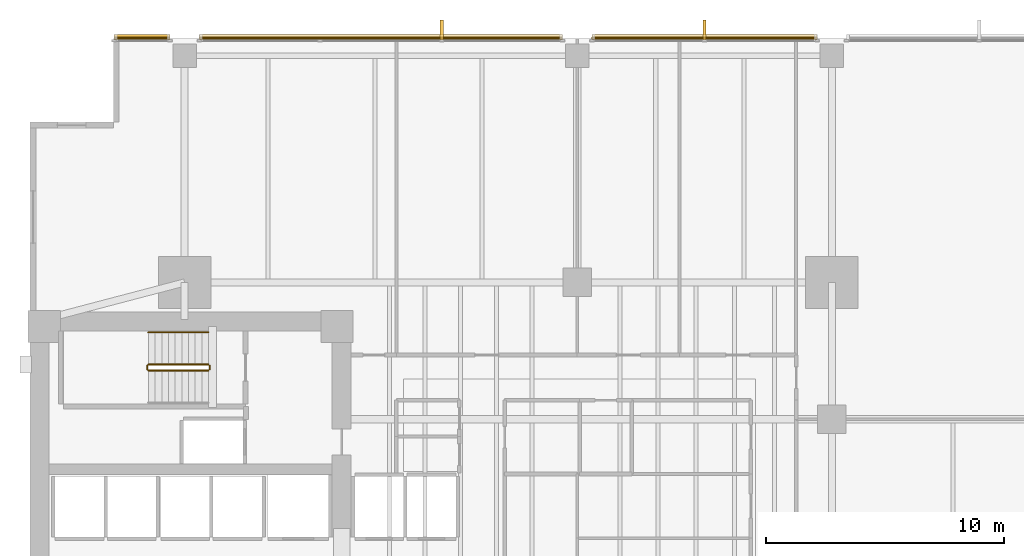
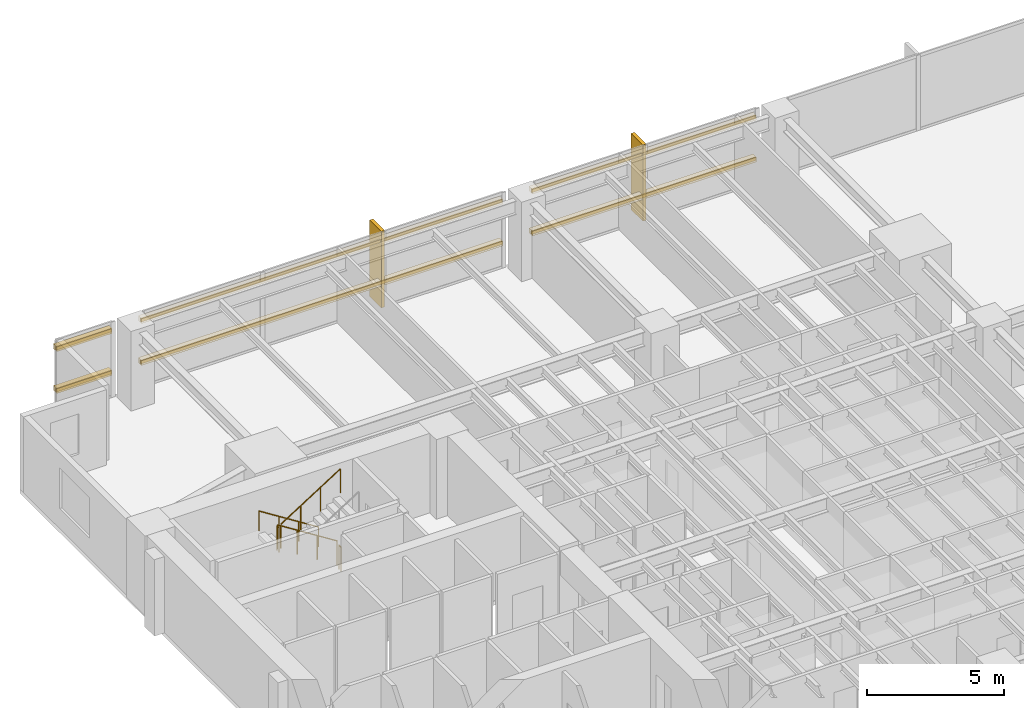
# One storey, part 14 of 15: 8 coverings, 6 shading devices, 5 railings.
"""IFC4 building model written with IfcOpenShell, lengths in metres."""

from ifc_helpers import new_model, si_unit, direction, frame, origin, origin_2d, place, context, subcontext, project, spatial, polyline, rectangle, circle, outline, extrude, material, layer, layer_set, material_profile, profile_set, type_object, element, save


model = new_model("IFC4")

# Units and contexts
model_context = context("Model", 3, precision=1e-05, world=origin(), true_north=direction((0.0, 1.0)))
body_context = subcontext(model_context, "Body", "Model", "MODEL_VIEW")
ifc_project = project(units=[si_unit("LENGTHUNIT", "METRE"), si_unit("AREAUNIT", "SQUARE_METRE"), si_unit("VOLUMEUNIT", "CUBIC_METRE"), si_unit("PLANEANGLEUNIT", "RADIAN"), si_unit("MASSUNIT", "GRAM", prefix="KILO")], contexts=[model_context])

# Site, building, storey
site_placement = place(None, origin())
site = spatial("IfcSite", under=ifc_project, at=site_placement, CompositionType="ELEMENT")
building_placement = place(site_placement, origin())
building = spatial("IfcBuilding", under=site, at=building_placement, Name="Kinhvarn Gate Tower", CompositionType="ELEMENT")
storey_placement = place(building_placement, frame((0.0, 0.0, 68.199951171875)))
storey = spatial("IfcBuildingStorey", under=building, at=storey_placement, Name="L17", CompositionType="ELEMENT", Elevation=68.199951171875)

# Coverings
ifc_material_1 = material(Name="Fired architectural terracotta", Category="masonry")
ifc_layer_1 = layer(ifc_material_1, 0.239990234375)
ifc_layer_set_1 = layer_set([ifc_layer_1], Name="Fired architectural terracotta")
covering_type_1 = type_object("IfcCoveringType", Name="COV-BAG-220", PredefinedType="CLADDING", material=ifc_layer_set_1)
covering_1_placement = place(storey_placement, frame((0.0, 0.0, 0.93994140625)))
element("IfcCovering", 1, at=covering_1_placement, inside=storey, type_object=covering_type_1, Name="Terracotta Horizontal Sunscreen Band TBG-220 (L17)", PredefinedType="CLADDING", context=body_context, shape_type="SweptSolid", body=[
    extrude(outline(polyline([(37.580078125, 47.93994140625), (28.1201171875, 47.93994140625), (28.1201171875, 48.179931640625), (37.580078125, 48.179931640625), (37.580078125, 47.93994140625)])), origin(), (0.0, 0.0, 1.0), 0.22021484375),
])
covering_2_placement = place(storey_placement, frame((0.0, 0.0, 2.81005859375)))
element("IfcCovering", 2, at=covering_2_placement, inside=storey, type_object=covering_type_1, Name="Terracotta Horizontal Sunscreen Band TBG-220 (L17)", PredefinedType="CLADDING", context=body_context, shape_type="SweptSolid", body=[
    extrude(outline(polyline([(37.580078125, 47.93994140625), (28.1201171875, 47.93994140625), (28.1201171875, 48.179931640625), (37.580078125, 48.179931640625), (37.580078125, 47.93994140625)])), origin(), (0.0, 0.0, 1.0), 0.219970703125),
])
covering_3_placement = place(storey_placement, frame((0.0, 0.0, 0.93994140625)))
element("IfcCovering", 3, at=covering_3_placement, inside=storey, type_object=covering_type_1, Name="Terracotta Horizontal Sunscreen Band TBG-220 (L17)", PredefinedType="CLADDING", context=body_context, shape_type="SweptSolid", body=[
    extrude(outline(polyline([(26.8798828125, 47.93994140625), (11.6201171875, 47.93994140625), (11.6201171875, 48.179931640625), (26.8798828125, 48.179931640625), (26.8798828125, 47.93994140625)])), origin(), (0.0, 0.0, 1.0), 0.22021484375),
])
covering_4_placement = place(storey_placement, frame((0.0, 0.0, 2.81005859375)))
element("IfcCovering", 4, at=covering_4_placement, inside=storey, type_object=covering_type_1, Name="Terracotta Horizontal Sunscreen Band TBG-220 (L17)", PredefinedType="CLADDING", context=body_context, shape_type="SweptSolid", body=[
    extrude(outline(polyline([(26.8798828125, 47.93994140625), (11.6201171875, 47.93994140625), (11.6201171875, 48.179931640625), (26.8798828125, 48.179931640625), (26.8798828125, 47.93994140625)])), origin(), (0.0, 0.0, 1.0), 0.219970703125),
])
covering_5_placement = place(storey_placement, frame((0.0, 0.0, 0.93994140625)))
element("IfcCovering", 5, at=covering_5_placement, inside=storey, type_object=covering_type_1, Name="Terracotta Horizontal Sunscreen Band TBG-220 (L17)", PredefinedType="CLADDING", context=body_context, shape_type="SweptSolid", body=[
    extrude(outline(polyline([(10.3798828125, 47.93994140625), (8.0400390625, 47.93994140625), (8.0400390625, 48.179931640625), (10.3798828125, 48.179931640625), (10.3798828125, 47.93994140625)])), origin(), (0.0, 0.0, 1.0), 0.22021484375),
])
covering_6_placement = place(storey_placement, frame((0.0, 0.0, 2.81005859375)))
element("IfcCovering", 6, at=covering_6_placement, inside=storey, type_object=covering_type_1, Name="Terracotta Horizontal Sunscreen Band TBG-220 (L17)", PredefinedType="CLADDING", context=body_context, shape_type="SweptSolid", body=[
    extrude(outline(polyline([(10.3798828125, 47.93994140625), (8.0400390625, 47.93994140625), (8.0400390625, 48.179931640625), (10.3798828125, 48.179931640625), (10.3798828125, 47.93994140625)])), origin(), (0.0, 0.0, 1.0), 0.219970703125),
])
ifc_layer_2 = layer(ifc_material_1, 0.139892578125)
ifc_layer_set_2 = layer_set([ifc_layer_2], Name="Fired architectural terracotta")
covering_type_2 = type_object("IfcCoveringType", Name="COV-FIN-850", PredefinedType="CLADDING", material=ifc_layer_set_2)
covering_7_placement = place(storey_placement, frame((0.0, 0.0, -0.02001953125)))
element("IfcCovering", 7, at=covering_7_placement, inside=storey, type_object=covering_type_2, Name="Vertical Terracotta Expressive Fin TFN-850 (L17)", PredefinedType="CLADDING", context=body_context, shape_type="SweptSolid", body=[
    extrude(outline(polyline([(32.919921875, 47.929931640625), (32.780029296875, 47.929931640625), (32.780029296875, 48.780029296875), (32.919921875, 48.780029296875), (32.919921875, 47.929931640625)])), origin(), (0.0, 0.0, 1.0), 3.41015625),
])
covering_8_placement = place(storey_placement, frame((0.0, 0.0, -0.02001953125)))
element("IfcCovering", 8, at=covering_8_placement, inside=storey, type_object=covering_type_2, Name="Vertical Terracotta Expressive Fin TFN-850 (L17)", PredefinedType="CLADDING", context=body_context, shape_type="SweptSolid", body=[
    extrude(outline(polyline([(21.876708984375, 47.929931640625), (21.73681640625, 47.929931640625), (21.73681640625, 48.780029296875), (21.876708984375, 48.780029296875), (21.876708984375, 47.929931640625)])), origin(), (0.0, 0.0, 1.0), 3.41015625),
])

# Railings
ifc_material_2 = material(Name="Steel S355", Category="steel")
railing_type_1 = type_object("IfcRailingType", Name="RL-ST-GRD", PredefinedType="BALUSTRADE", material=ifc_material_2)
railing_1_placement = place(storey_placement, frame((12.0, 34.300048828125, 0.177490234375)))
element("IfcRailing", 9, at=railing_1_placement, inside=storey, type_object=railing_type_1, Name="L17 ST2 stair guard 1", PredefinedType="BALUSTRADE", context=body_context, shape_type="SweptSolid", body=[
    extrude(circle(Radius=0.02392578125, at=origin_2d()), frame((0.0, 0.0, 1.076171875), z_axis=(-0.84456994832, 0.0, 0.535445237532), x_axis=(0.0, -1.0, 0.0)), (0.0, 0.0, 1.0), 2.98388671875),
    extrude(circle(Radius=0.02099609375, at=origin_2d()), origin(), (0.0, 0.0, 1.0), 1.052001953125),
    extrude(circle(Radius=0.02099609375, at=origin_2d()), frame((-0.840087890625, 0.0, 0.532470703125)), (0.0, 0.0, 1.0), 1.052001953125),
    extrude(circle(Radius=0.02099609375, at=origin_2d()), frame((-1.679931640625, 0.0, 1.065185546875)), (0.0, 0.0, 1.0), 1.052001953125),
    extrude(circle(Radius=0.02099609375, at=origin_2d()), frame((-2.52001953125, 0.0, 1.59765625)), (0.0, 0.0, 1.0), 1.052001953125),
])
railing_2_placement = place(storey_placement, frame((9.429931640625, 34.25, 1.775146484375)))
element("IfcRailing", 10, at=railing_2_placement, inside=storey, type_object=railing_type_1, Name="L17 ST2 stair guard 2", PredefinedType="BALUSTRADE", context=body_context, shape_type="SweptSolid", body=[
    extrude(circle(Radius=0.02392578125, at=origin_2d()), frame((0.0, 0.0, 1.076171875), z_axis=(0.0, -1.0, 0.0), x_axis=(1.0, 0.0, 0.0)), (0.0, 0.0, 1.0), 0.14990234375),
    extrude(circle(Radius=0.02099609375, at=origin_2d()), origin(), (0.0, 0.0, 1.0), 1.052001953125),
    extrude(circle(Radius=0.02099609375, at=origin_2d()), frame((0.0, -0.14990234375, 0.0)), (0.0, 0.0, 1.0), 1.052001953125),
])
railing_3_placement = place(storey_placement, frame((9.47998046875, 34.050048828125, 1.95263671875)))
element("IfcRailing", 11, at=railing_3_placement, inside=storey, type_object=railing_type_1, Name="L17 ST2 stair guard 3", PredefinedType="BALUSTRADE", context=body_context, shape_type="SweptSolid", body=[
    extrude(circle(Radius=0.02392578125, at=origin_2d()), frame((0.0, 0.0, 1.076171875), z_axis=(0.84460694969, 0.0, 0.535386869969), x_axis=(0.0, 1.0, 0.0)), (0.0, 0.0, 1.0), 2.983642578125),
    extrude(circle(Radius=0.02099609375, at=origin_2d()), origin(), (0.0, 0.0, 1.0), 1.052001953125),
    extrude(circle(Radius=0.02099609375, at=origin_2d()), frame((0.840087890625, 0.0, 0.532470703125)), (0.0, 0.0, 1.0), 1.052001953125),
    extrude(circle(Radius=0.02099609375, at=origin_2d()), frame((1.679931640625, 0.0, 1.06494140625)), (0.0, 0.0, 1.0), 1.052001953125),
    extrude(circle(Radius=0.02099609375, at=origin_2d()), frame((2.52001953125, 0.0, 1.597412109375)), (0.0, 0.0, 1.0), 1.052001953125),
])
railing_4_placement = place(storey_placement, frame((12.050048828125, 34.25, 0.0)))
element("IfcRailing", 12, at=railing_4_placement, inside=storey, type_object=railing_type_1, Name="L17 ST2 stair guard 4", PredefinedType="BALUSTRADE", context=body_context, shape_type="SweptSolid", body=[
    extrude(circle(Radius=0.02392578125, at=origin_2d()), frame((0.0, 0.0, 1.076171875), z_axis=(0.0, -1.0, 0.0), x_axis=(1.0, 0.0, 0.0)), (0.0, 0.0, 1.0), 0.14990234375),
    extrude(circle(Radius=0.02099609375, at=origin_2d()), origin(), (0.0, 0.0, 1.0), 1.052001953125),
    extrude(circle(Radius=0.02099609375, at=origin_2d()), frame((0.0, -0.14990234375, 0.0)), (0.0, 0.0, 1.0), 1.052001953125),
])
railing_type_2 = type_object("IfcRailingType", Name="RL-ST-HND", PredefinedType="HANDRAIL", material=ifc_material_2)
railing_5_placement = place(storey_placement, frame((12.0, 35.64990234375, 0.177490234375)))
element("IfcRailing", 13, at=railing_5_placement, inside=storey, type_object=railing_type_2, Name="L17 ST2 stair handrail 1", PredefinedType="HANDRAIL", context=body_context, shape_type="SweptSolid", body=[
    extrude(circle(Radius=0.02392578125, at=origin_2d()), frame((0.0, 0.0, 0.8759765625), z_axis=(-0.84456994832, 0.0, 0.535445237532), x_axis=(0.0, -1.0, 0.0)), (0.0, 0.0, 1.0), 2.98388671875),
    extrude(circle(Radius=0.02099609375, at=origin_2d()), origin(), (0.0, 0.0, 1.0), 0.851806640625),
    extrude(circle(Radius=0.02099609375, at=origin_2d()), frame((-0.840087890625, 0.0, 0.532470703125)), (0.0, 0.0, 1.0), 0.851806640625),
    extrude(circle(Radius=0.02099609375, at=origin_2d()), frame((-1.679931640625, 0.0, 1.065185546875)), (0.0, 0.0, 1.0), 0.851806640625),
    extrude(circle(Radius=0.02099609375, at=origin_2d()), frame((-2.52001953125, 0.0, 1.59765625)), (0.0, 0.0, 1.0), 0.851806640625),
])

# Shading devices
ifc_material_profile = material_profile(ifc_material_1, rectangle(XDim=0.06005859375, YDim=0.139892578125, at=origin_2d()), Name="TC 60x140")
ifc_profile_set = profile_set([ifc_material_profile], Name="Fired architectural terracotta")
shading_device_type = type_object("IfcShadingDeviceType", Name="SHD-BAG-180", PredefinedType="USERDEFINED", material=ifc_profile_set)
for number, where, z_axis, x_axis, name in (
    (14, (37.580078125, 48.014892578125, 1.050048828125), (-1.0, 0.0, 0.0), (0.0, -1.0, 0.0), "Fired Terracotta Baguette Screen Rod 60x140 mm (L17)"),
    (15, (37.580078125, 48.014892578125, 2.920166015625), (-1.0, 0.0, 0.0), (0.0, -1.0, 0.0), "Fired Terracotta Baguette Screen Rod 60x140 mm (L17)"),
):
    element("IfcShadingDevice", number, at=place(storey_placement, frame(where, z_axis=z_axis, x_axis=x_axis)), inside=storey, type_object=shading_device_type, Name=name, ObjectType="BAGUETTE", PredefinedType="USERDEFINED", context=body_context, shape_type="SweptSolid", body=[
        extrude(rectangle(XDim=0.06005859375, YDim=0.139892578125, at=origin_2d()), origin(), (0.0, 0.0, 1.0), 9.4599609375),
    ])
for number, where, z_axis, x_axis, name in (
    (16, (26.8798828125, 48.014892578125, 1.050048828125), (-1.0, 0.0, 0.0), (0.0, -1.0, 0.0), "Fired Terracotta Baguette Screen Rod 60x140 mm (L17)"),
    (17, (26.8798828125, 48.014892578125, 2.920166015625), (-1.0, 0.0, 0.0), (0.0, -1.0, 0.0), "Fired Terracotta Baguette Screen Rod 60x140 mm (L17)"),
):
    element("IfcShadingDevice", number, at=place(storey_placement, frame(where, z_axis=z_axis, x_axis=x_axis)), inside=storey, type_object=shading_device_type, Name=name, ObjectType="BAGUETTE", PredefinedType="USERDEFINED", context=body_context, shape_type="SweptSolid", body=[
        extrude(rectangle(XDim=0.06005859375, YDim=0.139892578125, at=origin_2d()), origin(), (0.0, 0.0, 1.0), 15.259765625),
    ])
for number, where, z_axis, x_axis, name in (
    (18, (10.3798828125, 48.014892578125, 1.050048828125), (-1.0, 0.0, 0.0), (0.0, -1.0, 0.0), "Fired Terracotta Baguette Screen Rod 60x140 mm (L17)"),
    (19, (10.3798828125, 48.014892578125, 2.920166015625), (-1.0, 0.0, 0.0), (0.0, -1.0, 0.0), "Fired Terracotta Baguette Screen Rod 60x140 mm (L17)"),
):
    element("IfcShadingDevice", number, at=place(storey_placement, frame(where, z_axis=z_axis, x_axis=x_axis)), inside=storey, type_object=shading_device_type, Name=name, ObjectType="BAGUETTE", PredefinedType="USERDEFINED", context=body_context, shape_type="SweptSolid", body=[
        extrude(rectangle(XDim=0.06005859375, YDim=0.139892578125, at=origin_2d()), origin(), (0.0, 0.0, 1.0), 2.33984375),
    ])

save(model, "model.ifc")
